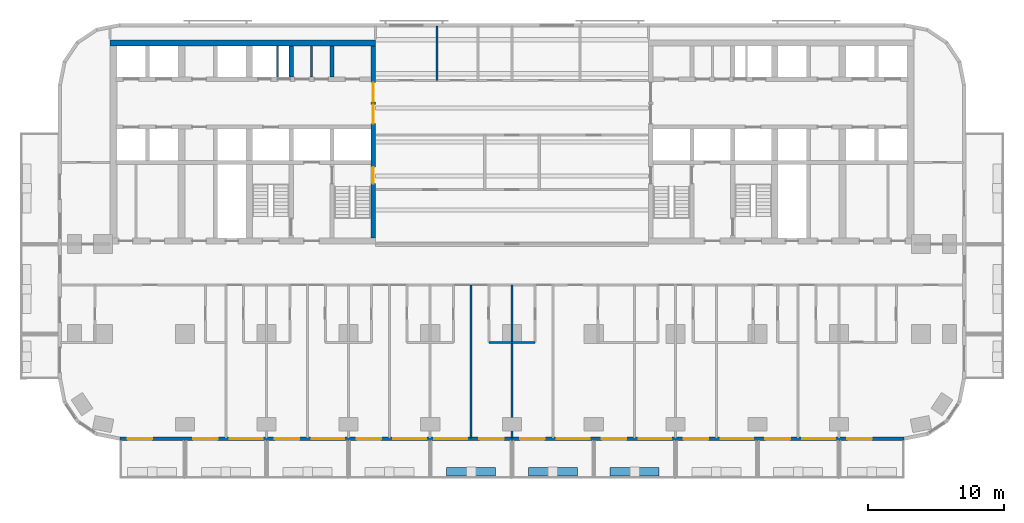
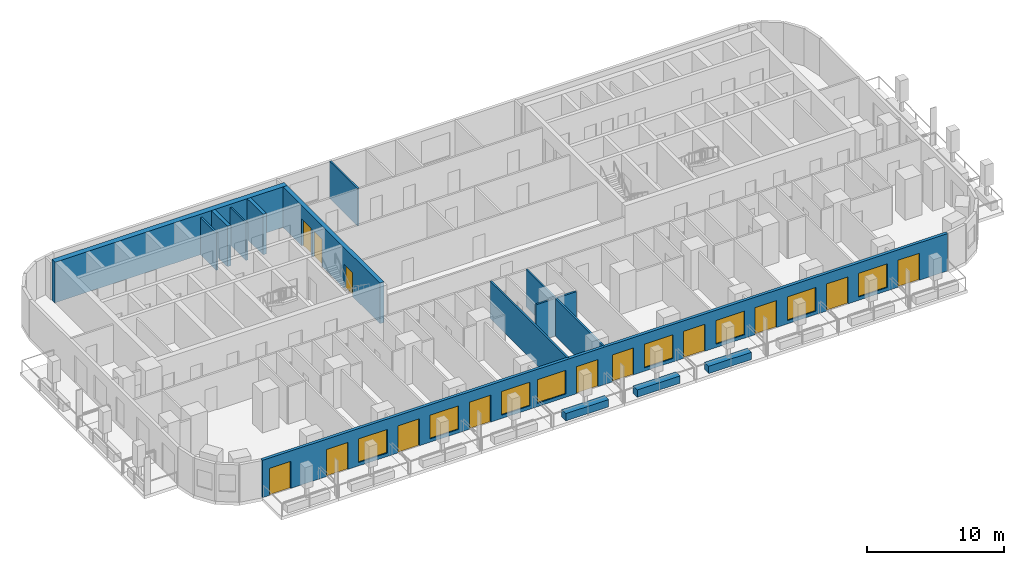
# One storey, part 4 of 14: 14 walls, 13 doors, 8 windows, 21 openings.
"""IFC4 building model written with IfcOpenShell, lengths in metres."""

from ifc_helpers import new_model, si_unit, direction, frame, frame_2d, origin, place, context, subcontext, project, spatial, rectangle, extrude, material, layer, layer_set, type_object, element, fill, save


model = new_model("IFC4")

# Units and contexts
model_context = context("Model", 3, precision=1e-05, world=origin(), true_north=direction((0.0, 1.0)))
body_context = subcontext(model_context, "Body", "Model", "MODEL_VIEW")
ifc_project = project(units=[si_unit("LENGTHUNIT", "METRE"), si_unit("AREAUNIT", "SQUARE_METRE"), si_unit("VOLUMEUNIT", "CUBIC_METRE"), si_unit("PLANEANGLEUNIT", "RADIAN"), si_unit("MASSUNIT", "GRAM", prefix="KILO")], contexts=[model_context])

# Site, building, storey
site_placement = place(None, origin())
site = spatial("IfcSite", under=ifc_project, at=site_placement, CompositionType="ELEMENT")
building_placement = place(site_placement, origin())
building = spatial("IfcBuilding", under=site, at=building_placement, Name="Torana Hotel and Residences", CompositionType="ELEMENT")
storey_placement = place(building_placement, frame((0.0, 0.0, 38.39990234375)))
storey = spatial("IfcBuildingStorey", under=building, at=storey_placement, Name="L08", CompositionType="ELEMENT", Elevation=38.39990234375)

# Walls
ifc_material_1 = material(Name="Concrete C80/95", Category="concrete")
ifc_layer_1 = layer(ifc_material_1, 0.300048828125)
ifc_layer_set_1 = layer_set([ifc_layer_1], Name="CORE WALL 300 C80/95")
wall_type_1 = type_object("IfcWallType", Name="CORE WALL 300 C80/95", PredefinedType="SHEAR", material=ifc_layer_set_1)
for number, where, z_axis, x_axis, name in (
    (1, (-13.199951171875, -2.75, 0.0), (0.0, 0.0, 1.0), (0.0, 1.0, 0.0), "Core wall W x3.05-N"),
    (2, (-16.199951171875, -2.75, 0.0), (0.0, 0.0, 1.0), (0.0, 1.0, 0.0), "Core wall W x6.05-N"),
):
    element("IfcWall", number, at=place(storey_placement, frame(where, z_axis=z_axis, x_axis=x_axis)), inside=storey, type_object=wall_type_1, Name=name, PredefinedType="SHEAR", context=body_context, shape_type="SweptSolid", body=[
        extrude(rectangle(XDim=2.300048828125, YDim=0.300048828125, at=frame_2d((1.14990234375, 0.0))), origin(), (0.0, 0.0, 1.0), 3.60009765625),
    ])

# Wall, openings, doors
ifc_material_2 = material(Name="Concrete C80/95", Category="concrete")
ifc_layer_2 = layer(ifc_material_2, 0.35009765625)
ifc_layer_set_2 = layer_set([ifc_layer_2], Name="CORE WALL 350 C80/95")
wall_type_2 = type_object("IfcWallType", Name="CORE WALL 350 C80/95", PredefinedType="SHEAR", material=ifc_layer_set_2)
wall_1_placement = place(storey_placement, frame((-10.175048828125, -14.550048828125, 0.0), z_axis=(0.0, 0.0, 1.0), x_axis=(0.0, 1.0, 0.0)))
wall_1 = element("IfcWall", 3, at=wall_1_placement, inside=storey, type_object=wall_type_2, Name="Core wall W arch", PredefinedType="SHEAR", context=body_context, shape_type="SweptSolid", body=[
    extrude(rectangle(XDim=14.10009765625, YDim=0.35009765625, at=frame_2d((7.050048828125, 0.0))), origin(), (0.0, 0.0, 1.0), 3.60009765625),
])
opening_1_placement = place(wall_1_placement, frame((8.39990234375, 0.0, 0.0)))
opening_1 = element("IfcOpeningElement", 4, at=opening_1_placement, cuts=wall_1, Name="Opening L08-01", PredefinedType="OPENING", context=body_context, shape_type="SweptSolid", body=[
    extrude(rectangle(XDim=1.39990234375, YDim=2.39990234375, at=frame_2d((0.699951171875, 1.199951171875))), frame((0.0, 0.18505859375, 0.0), z_axis=(0.0, -1.0, 0.0), x_axis=(1.0, 0.0, 0.0)), (0.0, 0.0, 1.0), 0.3701171875),
])
opening_2_placement = place(wall_1_placement, frame((10.0, 0.0, 0.0)))
opening_2 = element("IfcOpeningElement", 5, at=opening_2_placement, cuts=wall_1, Name="Opening L08-02", PredefinedType="OPENING", context=body_context, shape_type="SweptSolid", body=[
    extrude(rectangle(XDim=1.39990234375, YDim=2.39990234375, at=frame_2d((0.699951171875, 1.199951171875))), frame((0.0, 0.18505859375, 0.0), z_axis=(0.0, -1.0, 0.0), x_axis=(1.0, 0.0, 0.0)), (0.0, 0.0, 1.0), 0.3701171875),
])
opening_3_placement = place(wall_1_placement, frame((4.0, 0.0, 0.0)))
opening_3 = element("IfcOpeningElement", 6, at=opening_3_placement, cuts=wall_1, Name="Opening L08-03", PredefinedType="OPENING", context=body_context, shape_type="SweptSolid", body=[
    extrude(rectangle(XDim=1.199951171875, YDim=2.10009765625, at=frame_2d((0.60009765625, 1.050048828125))), frame((0.0, 0.18505859375, 0.0), z_axis=(0.0, -1.0, 0.0), x_axis=(1.0, 0.0, 0.0)), (0.0, 0.0, 1.0), 0.3701171875),
])
ifc_material_3 = material(Name="Steel S235", Category="steel")
door_type_1 = type_object("IfcDoorType", Name="LOBBY FIRE DOOR D4 1400x2400", OperationType="DOUBLE_DOOR_SINGLE_SWING", PredefinedType="DOOR", material=ifc_material_3)
door_1_placement = place(opening_1_placement, origin())
door_1 = element("IfcDoor", 7, at=door_1_placement, inside=storey, type_object=door_type_1, Name="Lobby-1 door L08", OperationType="DOUBLE_DOOR_SINGLE_SWING", OverallHeight=2.39990234375, OverallWidth=1.39990234375, PredefinedType="DOOR", context=body_context, shape_type="SweptSolid", body=[
    extrude(rectangle(XDim=1.39990234375, YDim=2.39990234375, at=frame_2d((0.699951171875, 1.199951171875))), frame((0.0, 0.02490234375, 0.0), z_axis=(0.0, -1.0, 0.0), x_axis=(1.0, 0.0, 0.0)), (0.0, 0.0, 1.0), 0.050048828125),
])
fill(opening_1, door_1)
door_2_placement = place(opening_2_placement, origin())
door_2 = element("IfcDoor", 8, at=door_2_placement, inside=storey, type_object=door_type_1, Name="Lobby-2 door L08", OperationType="DOUBLE_DOOR_SINGLE_SWING", OverallHeight=2.39990234375, OverallWidth=1.39990234375, PredefinedType="DOOR", context=body_context, shape_type="SweptSolid", body=[
    extrude(rectangle(XDim=1.39990234375, YDim=2.39990234375, at=frame_2d((0.699951171875, 1.199951171875))), frame((0.0, 0.02490234375, 0.0), z_axis=(0.0, -1.0, 0.0), x_axis=(1.0, 0.0, 0.0)), (0.0, 0.0, 1.0), 0.050048828125),
])
fill(opening_2, door_2)
ifc_material_4 = material(Name="Steel S235", Category="steel")
door_type_2 = type_object("IfcDoorType", Name="STAIR FIRE DOOR D3 1200x2100", OperationType="SINGLE_SWING_LEFT", PredefinedType="DOOR", material=ifc_material_4)
door_3_placement = place(opening_3_placement, origin())
door_3 = element("IfcDoor", 9, at=door_3_placement, inside=storey, type_object=door_type_2, Name="Stair-A door L08", OperationType="SINGLE_SWING_LEFT", OverallHeight=2.10009765625, OverallWidth=1.199951171875, PredefinedType="DOOR", context=body_context, shape_type="SweptSolid", body=[
    extrude(rectangle(XDim=1.199951171875, YDim=2.10009765625, at=frame_2d((0.60009765625, 1.050048828125))), frame((0.0, 0.02490234375, 0.0), z_axis=(0.0, -1.0, 0.0), x_axis=(1.0, 0.0, 0.0)), (0.0, 0.0, 1.0), 0.050048828125),
])
fill(opening_3, door_3)

# Wall
ifc_material_5 = material(Name="Concrete C80/95", Category="concrete")
ifc_layer_3 = layer(ifc_material_5, 0.449951171875)
ifc_layer_set_3 = layer_set([ifc_layer_3], Name="CORE WALL 450 C80/95")
wall_type_3 = type_object("IfcWallType", Name="CORE WALL 450 C80/95", PredefinedType="SHEAR", material=ifc_layer_set_3)
wall_2_placement = place(storey_placement, frame((-29.5, -0.22509765625, 0.0), z_axis=(0.0, 0.0, 1.0), x_axis=(1.0, 0.0, 0.0)))
element("IfcWall", 10, at=wall_2_placement, inside=storey, type_object=wall_type_3, Name="Core wall W rear", PredefinedType="SHEAR", context=body_context, shape_type="SweptSolid", body=[
    extrude(rectangle(XDim=19.5, YDim=0.449951171875, at=frame_2d((9.75, 0.0))), origin(), (0.0, 0.0, 1.0), 3.60009765625),
])

# Wall, openings, doors, windows
ifc_material_6 = material(Name="Black aluminium composite panel", Category="aluminium")
ifc_layer_4 = layer(ifc_material_6, 0.00390625, Name="Cladding", Category="cladding")
ifc_material_7 = material(Name="Ventilated air cavity")
ifc_layer_5 = layer(ifc_material_7, 0.0400390625, Name="Ventilated cavity", Category="cavity")
ifc_material_8 = material(Name="Mineral wool insulation")
ifc_layer_6 = layer(ifc_material_8, 0.090087890625, Name="Insulation", Category="insulation")
ifc_material_9 = material(Name="Steel S280GD", Category="steel")
ifc_layer_7 = layer(ifc_material_9, 0.092041015625, Name="Steel stud frame", Category="structure")
ifc_material_10 = material(Name="Fire rated plasterboard")
ifc_layer_8 = layer(ifc_material_10, 0.011962890625, Name="Inner board", Category="finish")
ifc_layer_9 = layer(ifc_material_10, 0.011962890625, Name="Second board", Category="finish")
ifc_layer_set_4 = layer_set([ifc_layer_4, ifc_layer_5, ifc_layer_6, ifc_layer_7, ifc_layer_8, ifc_layer_9], Name="EW1 EXTERNAL WALL BLACK METAL CLAD 250")
wall_type_4 = type_object("IfcWallType", Name="EW1 EXTERNAL WALL BLACK METAL CLAD 250", PredefinedType="SOLIDWALL", material=ifc_layer_set_4)
wall_3_placement = place(storey_placement, frame((-28.775390625, -29.27490234375, 0.0), z_axis=(0.0, 0.0, 1.0), x_axis=(1.0, 0.0, 0.0)))
wall_3 = element("IfcWall", 11, at=wall_3_placement, inside=storey, type_object=wall_type_4, Name="External wall L08 e0.14", PredefinedType="SOLIDWALL", context=body_context, shape_type="SweptSolid", body=[
    extrude(rectangle(XDim=57.55078125, YDim=0.25, at=frame_2d((28.775390625, 0.0))), origin(), (0.0, 0.0, 1.0), 3.320068359375),
])
opening_4_placement = place(wall_3_placement, frame((0.575439453125, 0.0, 0.0)))
opening_4 = element("IfcOpeningElement", 12, at=opening_4_placement, cuts=wall_3, Name="Opening L08-E01", PredefinedType="OPENING", context=body_context, shape_type="SweptSolid", body=[
    extrude(rectangle(XDim=1.800048828125, YDim=2.39990234375, at=frame_2d((0.89990234375, 1.199951171875))), frame((0.0, 0.135009765625, 0.0), z_axis=(0.0, -1.0, 0.0), x_axis=(1.0, 0.0, 0.0)), (0.0, 0.0, 1.0), 0.27001953125),
])
opening_5_placement = place(wall_3_placement, frame((5.37548828125, 0.0, 0.0)))
opening_5 = element("IfcOpeningElement", 13, at=opening_5_placement, cuts=wall_3, Name="Opening L08-E02", PredefinedType="OPENING", context=body_context, shape_type="SweptSolid", body=[
    extrude(rectangle(XDim=1.800048828125, YDim=2.39990234375, at=frame_2d((0.89990234375, 1.199951171875))), frame((0.0, 0.135009765625, 0.0), z_axis=(0.0, -1.0, 0.0), x_axis=(1.0, 0.0, 0.0)), (0.0, 0.0, 1.0), 0.27001953125),
])
opening_6_placement = place(wall_3_placement, frame((8.075439453125, 0.0, 0.300048828125)))
opening_6 = element("IfcOpeningElement", 14, at=opening_6_placement, cuts=wall_3, Name="Opening W1", PredefinedType="OPENING", context=body_context, shape_type="SweptSolid", body=[
    extrude(rectangle(XDim=2.39990234375, YDim=2.10009765625, at=frame_2d((1.199951171875, 1.050048828125))), frame((0.0, 0.135009765625, 0.0), z_axis=(0.0, -1.0, 0.0), x_axis=(1.0, 0.0, 0.0)), (0.0, 0.0, 1.0), 0.27001953125),
])
opening_7_placement = place(wall_3_placement, frame((11.37548828125, 0.0, 0.0)))
opening_7 = element("IfcOpeningElement", 15, at=opening_7_placement, cuts=wall_3, Name="Opening L08-E03", PredefinedType="OPENING", context=body_context, shape_type="SweptSolid", body=[
    extrude(rectangle(XDim=1.800048828125, YDim=2.39990234375, at=frame_2d((0.89990234375, 1.199951171875))), frame((0.0, 0.135009765625, 0.0), z_axis=(0.0, -1.0, 0.0), x_axis=(1.0, 0.0, 0.0)), (0.0, 0.0, 1.0), 0.27001953125),
])
opening_8_placement = place(wall_3_placement, frame((14.075439453125, 0.0, 0.300048828125)))
opening_8 = element("IfcOpeningElement", 16, at=opening_8_placement, cuts=wall_3, Name="Opening W1", PredefinedType="OPENING", context=body_context, shape_type="SweptSolid", body=[
    extrude(rectangle(XDim=2.39990234375, YDim=2.10009765625, at=frame_2d((1.199951171875, 1.050048828125))), frame((0.0, 0.135009765625, 0.0), z_axis=(0.0, -1.0, 0.0), x_axis=(1.0, 0.0, 0.0)), (0.0, 0.0, 1.0), 0.27001953125),
])
opening_9_placement = place(wall_3_placement, frame((17.37548828125, 0.0, 0.0)))
opening_9 = element("IfcOpeningElement", 17, at=opening_9_placement, cuts=wall_3, Name="Opening L08-E04", PredefinedType="OPENING", context=body_context, shape_type="SweptSolid", body=[
    extrude(rectangle(XDim=1.800048828125, YDim=2.39990234375, at=frame_2d((0.89990234375, 1.199951171875))), frame((0.0, 0.135009765625, 0.0), z_axis=(0.0, -1.0, 0.0), x_axis=(1.0, 0.0, 0.0)), (0.0, 0.0, 1.0), 0.27001953125),
])
opening_10_placement = place(wall_3_placement, frame((20.075439453125, 0.0, 0.300048828125)))
opening_10 = element("IfcOpeningElement", 18, at=opening_10_placement, cuts=wall_3, Name="Opening W1", PredefinedType="OPENING", context=body_context, shape_type="SweptSolid", body=[
    extrude(rectangle(XDim=2.39990234375, YDim=2.10009765625, at=frame_2d((1.199951171875, 1.050048828125))), frame((0.0, 0.135009765625, 0.0), z_axis=(0.0, -1.0, 0.0), x_axis=(1.0, 0.0, 0.0)), (0.0, 0.0, 1.0), 0.27001953125),
])
opening_11_placement = place(wall_3_placement, frame((23.075439453125, 0.0, 0.300048828125)))
opening_11 = element("IfcOpeningElement", 19, at=opening_11_placement, cuts=wall_3, Name="Opening W1", PredefinedType="OPENING", context=body_context, shape_type="SweptSolid", body=[
    extrude(rectangle(XDim=2.39990234375, YDim=2.10009765625, at=frame_2d((1.199951171875, 1.050048828125))), frame((0.0, 0.135009765625, 0.0), z_axis=(0.0, -1.0, 0.0), x_axis=(1.0, 0.0, 0.0)), (0.0, 0.0, 1.0), 0.27001953125),
])
opening_12_placement = place(wall_3_placement, frame((26.37548828125, 0.0, 0.0)))
opening_12 = element("IfcOpeningElement", 20, at=opening_12_placement, cuts=wall_3, Name="Opening L08-E05", PredefinedType="OPENING", context=body_context, shape_type="SweptSolid", body=[
    extrude(rectangle(XDim=1.800048828125, YDim=2.39990234375, at=frame_2d((0.89990234375, 1.199951171875))), frame((0.0, 0.135009765625, 0.0), z_axis=(0.0, -1.0, 0.0), x_axis=(1.0, 0.0, 0.0)), (0.0, 0.0, 1.0), 0.27001953125),
])
opening_13_placement = place(wall_3_placement, frame((29.37548828125, 0.0, 0.0)))
opening_13 = element("IfcOpeningElement", 21, at=opening_13_placement, cuts=wall_3, Name="Opening L08-E06", PredefinedType="OPENING", context=body_context, shape_type="SweptSolid", body=[
    extrude(rectangle(XDim=1.800048828125, YDim=2.39990234375, at=frame_2d((0.89990234375, 1.199951171875))), frame((0.0, 0.135009765625, 0.0), z_axis=(0.0, -1.0, 0.0), x_axis=(1.0, 0.0, 0.0)), (0.0, 0.0, 1.0), 0.27001953125),
])
opening_14_placement = place(wall_3_placement, frame((32.075439453125, 0.0, 0.300048828125)))
opening_14 = element("IfcOpeningElement", 22, at=opening_14_placement, cuts=wall_3, Name="Opening W1", PredefinedType="OPENING", context=body_context, shape_type="SweptSolid", body=[
    extrude(rectangle(XDim=2.39990234375, YDim=2.10009765625, at=frame_2d((1.199951171875, 1.050048828125))), frame((0.0, 0.135009765625, 0.0), z_axis=(0.0, -1.0, 0.0), x_axis=(1.0, 0.0, 0.0)), (0.0, 0.0, 1.0), 0.27001953125),
])
opening_15_placement = place(wall_3_placement, frame((35.37548828125, 0.0, 0.0)))
opening_15 = element("IfcOpeningElement", 23, at=opening_15_placement, cuts=wall_3, Name="Opening L08-E07", PredefinedType="OPENING", context=body_context, shape_type="SweptSolid", body=[
    extrude(rectangle(XDim=1.800048828125, YDim=2.39990234375, at=frame_2d((0.89990234375, 1.199951171875))), frame((0.0, 0.135009765625, 0.0), z_axis=(0.0, -1.0, 0.0), x_axis=(1.0, 0.0, 0.0)), (0.0, 0.0, 1.0), 0.27001953125),
])
opening_16_placement = place(wall_3_placement, frame((38.075439453125, 0.0, 0.300048828125)))
opening_16 = element("IfcOpeningElement", 24, at=opening_16_placement, cuts=wall_3, Name="Opening W1", PredefinedType="OPENING", context=body_context, shape_type="SweptSolid", body=[
    extrude(rectangle(XDim=2.39990234375, YDim=2.10009765625, at=frame_2d((1.199951171875, 1.050048828125))), frame((0.0, 0.135009765625, 0.0), z_axis=(0.0, -1.0, 0.0), x_axis=(1.0, 0.0, 0.0)), (0.0, 0.0, 1.0), 0.27001953125),
])
opening_17_placement = place(wall_3_placement, frame((41.37548828125, 0.0, 0.0)))
opening_17 = element("IfcOpeningElement", 25, at=opening_17_placement, cuts=wall_3, Name="Opening L08-E08", PredefinedType="OPENING", context=body_context, shape_type="SweptSolid", body=[
    extrude(rectangle(XDim=1.800048828125, YDim=2.39990234375, at=frame_2d((0.89990234375, 1.199951171875))), frame((0.0, 0.135009765625, 0.0), z_axis=(0.0, -1.0, 0.0), x_axis=(1.0, 0.0, 0.0)), (0.0, 0.0, 1.0), 0.27001953125),
])
opening_18_placement = place(wall_3_placement, frame((44.075439453125, 0.0, 0.300048828125)))
opening_18 = element("IfcOpeningElement", 26, at=opening_18_placement, cuts=wall_3, Name="Opening W1", PredefinedType="OPENING", context=body_context, shape_type="SweptSolid", body=[
    extrude(rectangle(XDim=2.39990234375, YDim=2.10009765625, at=frame_2d((1.199951171875, 1.050048828125))), frame((0.0, 0.135009765625, 0.0), z_axis=(0.0, -1.0, 0.0), x_axis=(1.0, 0.0, 0.0)), (0.0, 0.0, 1.0), 0.27001953125),
])
opening_19_placement = place(wall_3_placement, frame((47.37548828125, 0.0, 0.0)))
opening_19 = element("IfcOpeningElement", 27, at=opening_19_placement, cuts=wall_3, Name="Opening L08-E09", PredefinedType="OPENING", context=body_context, shape_type="SweptSolid", body=[
    extrude(rectangle(XDim=1.800048828125, YDim=2.39990234375, at=frame_2d((0.89990234375, 1.199951171875))), frame((0.0, 0.135009765625, 0.0), z_axis=(0.0, -1.0, 0.0), x_axis=(1.0, 0.0, 0.0)), (0.0, 0.0, 1.0), 0.27001953125),
])
opening_20_placement = place(wall_3_placement, frame((50.075439453125, 0.0, 0.300048828125)))
opening_20 = element("IfcOpeningElement", 28, at=opening_20_placement, cuts=wall_3, Name="Opening W1", PredefinedType="OPENING", context=body_context, shape_type="SweptSolid", body=[
    extrude(rectangle(XDim=2.39990234375, YDim=2.10009765625, at=frame_2d((1.199951171875, 1.050048828125))), frame((0.0, 0.135009765625, 0.0), z_axis=(0.0, -1.0, 0.0), x_axis=(1.0, 0.0, 0.0)), (0.0, 0.0, 1.0), 0.27001953125),
])
opening_21_placement = place(wall_3_placement, frame((53.37548828125, 0.0, 0.0)))
opening_21 = element("IfcOpeningElement", 29, at=opening_21_placement, cuts=wall_3, Name="Opening L08-E10", PredefinedType="OPENING", context=body_context, shape_type="SweptSolid", body=[
    extrude(rectangle(XDim=1.800048828125, YDim=2.39990234375, at=frame_2d((0.89990234375, 1.199951171875))), frame((0.0, 0.135009765625, 0.0), z_axis=(0.0, -1.0, 0.0), x_axis=(1.0, 0.0, 0.0)), (0.0, 0.0, 1.0), 0.27001953125),
])
ifc_material_11 = material(Name="Dark glass in black aluminium frame", Category="aluminium")
door_type_3 = type_object("IfcDoorType", Name="DB1 BALCONY DOOR 1800x2400", OperationType="DOUBLE_DOOR_SINGLE_SWING", PredefinedType="DOOR", material=ifc_material_11)
door_4_placement = place(opening_4_placement, origin())
door_4 = element("IfcDoor", 30, at=door_4_placement, inside=storey, type_object=door_type_3, Name="Balcony door L08", OperationType="DOUBLE_DOOR_SINGLE_SWING", OverallHeight=2.39990234375, OverallWidth=1.800048828125, PredefinedType="DOOR", context=body_context, shape_type="SweptSolid", body=[
    extrude(rectangle(XDim=1.800048828125, YDim=2.39990234375, at=frame_2d((0.89990234375, 1.199951171875))), frame((0.0, 0.02490234375, 0.0), z_axis=(0.0, -1.0, 0.0), x_axis=(1.0, 0.0, 0.0)), (0.0, 0.0, 1.0), 0.050048828125),
])
fill(opening_4, door_4)
door_5_placement = place(opening_5_placement, frame((0.89990234375, 0.0, 0.0), z_axis=(0.0, 0.0, 1.0), x_axis=(-1.0, 0.0, 0.0)))
door_5 = element("IfcDoor", 31, at=door_5_placement, inside=storey, type_object=door_type_3, Name="Balcony door L08", OperationType="DOUBLE_DOOR_SINGLE_SWING", OverallHeight=2.39990234375, OverallWidth=1.800048828125, PredefinedType="DOOR", context=body_context, shape_type="SweptSolid", body=[
    extrude(rectangle(XDim=1.800048828125, YDim=2.39990234375, at=frame_2d((0.0, 1.199951171875))), frame((0.0, -0.02490234375, 0.0), z_axis=(0.0, 1.0, 0.0), x_axis=(-1.0, 0.0, 0.0)), (0.0, 0.0, 1.0), 0.050048828125),
])
fill(opening_5, door_5)
door_6_placement = place(opening_7_placement, frame((0.89990234375, 0.0, 0.0), z_axis=(0.0, 0.0, 1.0), x_axis=(-1.0, 0.0, 0.0)))
door_6 = element("IfcDoor", 32, at=door_6_placement, inside=storey, type_object=door_type_3, Name="Balcony door L08", OperationType="DOUBLE_DOOR_SINGLE_SWING", OverallHeight=2.39990234375, OverallWidth=1.800048828125, PredefinedType="DOOR", context=body_context, shape_type="SweptSolid", body=[
    extrude(rectangle(XDim=1.800048828125, YDim=2.39990234375, at=frame_2d((0.0, 1.199951171875))), frame((0.0, -0.02490234375, 0.0), z_axis=(0.0, 1.0, 0.0), x_axis=(-1.0, 0.0, 0.0)), (0.0, 0.0, 1.0), 0.050048828125),
])
fill(opening_7, door_6)
door_7_placement = place(opening_9_placement, frame((0.89990234375, 0.0, 0.0), z_axis=(0.0, 0.0, 1.0), x_axis=(-1.0, 0.0, 0.0)))
door_7 = element("IfcDoor", 33, at=door_7_placement, inside=storey, type_object=door_type_3, Name="Balcony door L08", OperationType="DOUBLE_DOOR_SINGLE_SWING", OverallHeight=2.39990234375, OverallWidth=1.800048828125, PredefinedType="DOOR", context=body_context, shape_type="SweptSolid", body=[
    extrude(rectangle(XDim=1.800048828125, YDim=2.39990234375, at=frame_2d((0.0, 1.199951171875))), frame((0.0, -0.02490234375, 0.0), z_axis=(0.0, 1.0, 0.0), x_axis=(-1.0, 0.0, 0.0)), (0.0, 0.0, 1.0), 0.050048828125),
])
fill(opening_9, door_7)
door_8_placement = place(opening_12_placement, frame((0.89990234375, 0.0, 0.0), z_axis=(0.0, 0.0, 1.0), x_axis=(-1.0, 0.0, 0.0)))
door_8 = element("IfcDoor", 34, at=door_8_placement, inside=storey, type_object=door_type_3, Name="Balcony door L08", OperationType="DOUBLE_DOOR_SINGLE_SWING", OverallHeight=2.39990234375, OverallWidth=1.800048828125, PredefinedType="DOOR", context=body_context, shape_type="SweptSolid", body=[
    extrude(rectangle(XDim=1.800048828125, YDim=2.39990234375, at=frame_2d((0.0, 1.199951171875))), frame((0.0, -0.02490234375, 0.0), z_axis=(0.0, 1.0, 0.0), x_axis=(-1.0, 0.0, 0.0)), (0.0, 0.0, 1.0), 0.050048828125),
])
fill(opening_12, door_8)
door_9_placement = place(opening_13_placement, frame((0.89990234375, 0.0, 0.0), z_axis=(0.0, 0.0, 1.0), x_axis=(-1.0, 0.0, 0.0)))
door_9 = element("IfcDoor", 35, at=door_9_placement, inside=storey, type_object=door_type_3, Name="Balcony door L08", OperationType="DOUBLE_DOOR_SINGLE_SWING", OverallHeight=2.39990234375, OverallWidth=1.800048828125, PredefinedType="DOOR", context=body_context, shape_type="SweptSolid", body=[
    extrude(rectangle(XDim=1.800048828125, YDim=2.39990234375, at=frame_2d((0.0, 1.199951171875))), frame((0.0, -0.02490234375, 0.0), z_axis=(0.0, 1.0, 0.0), x_axis=(-1.0, 0.0, 0.0)), (0.0, 0.0, 1.0), 0.050048828125),
])
fill(opening_13, door_9)
door_10_placement = place(opening_15_placement, frame((0.89990234375, 0.0, 0.0), z_axis=(0.0, 0.0, 1.0), x_axis=(-1.0, 0.0, 0.0)))
door_10 = element("IfcDoor", 36, at=door_10_placement, inside=storey, type_object=door_type_3, Name="Balcony door L08", OperationType="DOUBLE_DOOR_SINGLE_SWING", OverallHeight=2.39990234375, OverallWidth=1.800048828125, PredefinedType="DOOR", context=body_context, shape_type="SweptSolid", body=[
    extrude(rectangle(XDim=1.800048828125, YDim=2.39990234375, at=frame_2d((0.0, 1.199951171875))), frame((0.0, -0.02490234375, 0.0), z_axis=(0.0, 1.0, 0.0), x_axis=(-1.0, 0.0, 0.0)), (0.0, 0.0, 1.0), 0.050048828125),
])
fill(opening_15, door_10)
door_11_placement = place(opening_17_placement, frame((0.89990234375, 0.0, 0.0), z_axis=(0.0, 0.0, 1.0), x_axis=(-1.0, 0.0, 0.0)))
door_11 = element("IfcDoor", 37, at=door_11_placement, inside=storey, type_object=door_type_3, Name="Balcony door L08", OperationType="DOUBLE_DOOR_SINGLE_SWING", OverallHeight=2.39990234375, OverallWidth=1.800048828125, PredefinedType="DOOR", context=body_context, shape_type="SweptSolid", body=[
    extrude(rectangle(XDim=1.800048828125, YDim=2.39990234375, at=frame_2d((0.0, 1.199951171875))), frame((0.0, -0.02490234375, 0.0), z_axis=(0.0, 1.0, 0.0), x_axis=(-1.0, 0.0, 0.0)), (0.0, 0.0, 1.0), 0.050048828125),
])
fill(opening_17, door_11)
door_12_placement = place(opening_19_placement, frame((0.89990234375, 0.0, 0.0), z_axis=(0.0, 0.0, 1.0), x_axis=(-1.0, 0.0, 0.0)))
door_12 = element("IfcDoor", 38, at=door_12_placement, inside=storey, type_object=door_type_3, Name="Balcony door L08", OperationType="DOUBLE_DOOR_SINGLE_SWING", OverallHeight=2.39990234375, OverallWidth=1.800048828125, PredefinedType="DOOR", context=body_context, shape_type="SweptSolid", body=[
    extrude(rectangle(XDim=1.800048828125, YDim=2.39990234375, at=frame_2d((0.0, 1.199951171875))), frame((0.0, -0.02490234375, 0.0), z_axis=(0.0, 1.0, 0.0), x_axis=(-1.0, 0.0, 0.0)), (0.0, 0.0, 1.0), 0.050048828125),
])
fill(opening_19, door_12)
door_13_placement = place(opening_21_placement, frame((0.89990234375, 0.0, 0.0), z_axis=(0.0, 0.0, 1.0), x_axis=(-1.0, 0.0, 0.0)))
door_13 = element("IfcDoor", 39, at=door_13_placement, inside=storey, type_object=door_type_3, Name="Balcony door L08", OperationType="DOUBLE_DOOR_SINGLE_SWING", OverallHeight=2.39990234375, OverallWidth=1.800048828125, PredefinedType="DOOR", context=body_context, shape_type="SweptSolid", body=[
    extrude(rectangle(XDim=1.800048828125, YDim=2.39990234375, at=frame_2d((0.0, 1.199951171875))), frame((0.0, -0.02490234375, 0.0), z_axis=(0.0, 1.0, 0.0), x_axis=(-1.0, 0.0, 0.0)), (0.0, 0.0, 1.0), 0.050048828125),
])
fill(opening_21, door_13)
ifc_material_12 = material(Name="Dark glass in black aluminium frame", Category="aluminium")
window_type = type_object("IfcWindowType", Name="W1 HOTEL ROOM WINDOW 2400x2100", PartitioningType="SINGLE_PANEL", PredefinedType="WINDOW", material=ifc_material_12)
window_1_placement = place(opening_6_placement, origin())
window_1 = element("IfcWindow", 40, at=window_1_placement, inside=storey, type_object=window_type, Name="Window L08", OverallHeight=2.10009765625, OverallWidth=2.39990234375, PartitioningType="SINGLE_PANEL", PredefinedType="WINDOW", context=body_context, shape_type="SweptSolid", body=[
    extrude(rectangle(XDim=2.39990234375, YDim=2.10009765625, at=frame_2d((1.199951171875, 1.050048828125))), frame((0.0, 0.030029296875, 0.0), z_axis=(0.0, -1.0, 0.0), x_axis=(1.0, 0.0, 0.0)), (0.0, 0.0, 1.0), 0.06005859375),
])
fill(opening_6, window_1)
window_2_placement = place(opening_8_placement, origin())
window_2 = element("IfcWindow", 41, at=window_2_placement, inside=storey, type_object=window_type, Name="Window L08", OverallHeight=2.10009765625, OverallWidth=2.39990234375, PartitioningType="SINGLE_PANEL", PredefinedType="WINDOW", context=body_context, shape_type="SweptSolid", body=[
    extrude(rectangle(XDim=2.39990234375, YDim=2.10009765625, at=frame_2d((1.199951171875, 1.050048828125))), frame((0.0, 0.030029296875, 0.0), z_axis=(0.0, -1.0, 0.0), x_axis=(1.0, 0.0, 0.0)), (0.0, 0.0, 1.0), 0.06005859375),
])
fill(opening_8, window_2)
window_3_placement = place(opening_10_placement, origin())
window_3 = element("IfcWindow", 42, at=window_3_placement, inside=storey, type_object=window_type, Name="Window L08", OverallHeight=2.10009765625, OverallWidth=2.39990234375, PartitioningType="SINGLE_PANEL", PredefinedType="WINDOW", context=body_context, shape_type="SweptSolid", body=[
    extrude(rectangle(XDim=2.39990234375, YDim=2.10009765625, at=frame_2d((1.199951171875, 1.050048828125))), frame((0.0, 0.030029296875, 0.0), z_axis=(0.0, -1.0, 0.0), x_axis=(1.0, 0.0, 0.0)), (0.0, 0.0, 1.0), 0.06005859375),
])
fill(opening_10, window_3)
window_4_placement = place(opening_11_placement, origin())
window_4 = element("IfcWindow", 43, at=window_4_placement, inside=storey, type_object=window_type, Name="Window L08", OverallHeight=2.10009765625, OverallWidth=2.39990234375, PartitioningType="SINGLE_PANEL", PredefinedType="WINDOW", context=body_context, shape_type="SweptSolid", body=[
    extrude(rectangle(XDim=2.39990234375, YDim=2.10009765625, at=frame_2d((1.199951171875, 1.050048828125))), frame((0.0, 0.030029296875, 0.0), z_axis=(0.0, -1.0, 0.0), x_axis=(1.0, 0.0, 0.0)), (0.0, 0.0, 1.0), 0.06005859375),
])
fill(opening_11, window_4)
window_5_placement = place(opening_14_placement, origin())
window_5 = element("IfcWindow", 44, at=window_5_placement, inside=storey, type_object=window_type, Name="Window L08", OverallHeight=2.10009765625, OverallWidth=2.39990234375, PartitioningType="SINGLE_PANEL", PredefinedType="WINDOW", context=body_context, shape_type="SweptSolid", body=[
    extrude(rectangle(XDim=2.39990234375, YDim=2.10009765625, at=frame_2d((1.199951171875, 1.050048828125))), frame((0.0, 0.030029296875, 0.0), z_axis=(0.0, -1.0, 0.0), x_axis=(1.0, 0.0, 0.0)), (0.0, 0.0, 1.0), 0.06005859375),
])
fill(opening_14, window_5)
window_6_placement = place(opening_16_placement, origin())
window_6 = element("IfcWindow", 45, at=window_6_placement, inside=storey, type_object=window_type, Name="Window L08", OverallHeight=2.10009765625, OverallWidth=2.39990234375, PartitioningType="SINGLE_PANEL", PredefinedType="WINDOW", context=body_context, shape_type="SweptSolid", body=[
    extrude(rectangle(XDim=2.39990234375, YDim=2.10009765625, at=frame_2d((1.199951171875, 1.050048828125))), frame((0.0, 0.030029296875, 0.0), z_axis=(0.0, -1.0, 0.0), x_axis=(1.0, 0.0, 0.0)), (0.0, 0.0, 1.0), 0.06005859375),
])
fill(opening_16, window_6)
window_7_placement = place(opening_18_placement, origin())
window_7 = element("IfcWindow", 46, at=window_7_placement, inside=storey, type_object=window_type, Name="Window L08", OverallHeight=2.10009765625, OverallWidth=2.39990234375, PartitioningType="SINGLE_PANEL", PredefinedType="WINDOW", context=body_context, shape_type="SweptSolid", body=[
    extrude(rectangle(XDim=2.39990234375, YDim=2.10009765625, at=frame_2d((1.199951171875, 1.050048828125))), frame((0.0, 0.030029296875, 0.0), z_axis=(0.0, -1.0, 0.0), x_axis=(1.0, 0.0, 0.0)), (0.0, 0.0, 1.0), 0.06005859375),
])
fill(opening_18, window_7)
window_8_placement = place(opening_20_placement, origin())
window_8 = element("IfcWindow", 47, at=window_8_placement, inside=storey, type_object=window_type, Name="Window L08", OverallHeight=2.10009765625, OverallWidth=2.39990234375, PartitioningType="SINGLE_PANEL", PredefinedType="WINDOW", context=body_context, shape_type="SweptSolid", body=[
    extrude(rectangle(XDim=2.39990234375, YDim=2.10009765625, at=frame_2d((1.199951171875, 1.050048828125))), frame((0.0, 0.030029296875, 0.0), z_axis=(0.0, -1.0, 0.0), x_axis=(1.0, 0.0, 0.0)), (0.0, 0.0, 1.0), 0.06005859375),
])
fill(opening_20, window_8)

# Walls
ifc_material_13 = material(Name="Gypsum plaster")
ifc_layer_10 = layer(ifc_material_13, 0.014892578125, Name="Plaster", Category="finish")
ifc_material_14 = material(Name="Concrete blockwork", Category="masonry")
ifc_layer_11 = layer(ifc_material_14, 0.1201171875, Name="Blockwork", Category="structure")
ifc_layer_12 = layer(ifc_material_13, 0.014892578125, Name="Plaster", Category="finish")
ifc_layer_set_5 = layer_set([ifc_layer_10, ifc_layer_11, ifc_layer_12], Name="FIRE PARTITION 150 BLOCKWORK")
wall_type_5 = type_object("IfcWallType", Name="FIRE PARTITION 150 BLOCKWORK", PredefinedType="PARTITIONING", material=ifc_layer_set_5)
for number, where, z_axis, x_axis, name in (
    (48, (-17.199951171875, -2.75, 0.0), (0.0, 0.0, 1.0), (0.0, 1.0, 0.0), "Core partition L08"),
    (49, (-14.699951171875, -2.75, 0.0), (0.0, 0.0, 1.0), (0.0, 1.0, 0.0), "Core partition L08"),
):
    element("IfcWall", number, at=place(storey_placement, frame(where, z_axis=z_axis, x_axis=x_axis)), inside=storey, type_object=wall_type_5, Name=name, PredefinedType="PARTITIONING", context=body_context, shape_type="SweptSolid", body=[
        extrude(rectangle(XDim=2.300048828125, YDim=0.14990234375, at=frame_2d((1.14990234375, 0.0))), origin(), (0.0, 0.0, 1.0), 3.300048828125),
    ])
ifc_material_15 = material(Name="Gypsum plasterboard")
ifc_layer_13 = layer(ifc_material_15, 0.012451171875, Name="Plasterboard", Category="finish")
ifc_layer_14 = layer(ifc_material_15, 0.012451171875, Name="Plasterboard", Category="finish")
ifc_layer_15 = layer(ifc_material_9, 0.10009765625, Name="Steel studs with mineral wool", Category="insulation")
ifc_layer_16 = layer(ifc_material_15, 0.012451171875, Name="Plasterboard", Category="finish")
ifc_layer_17 = layer(ifc_material_15, 0.012451171875, Name="Plasterboard", Category="finish")
ifc_layer_set_6 = layer_set([ifc_layer_13, ifc_layer_14, ifc_layer_15, ifc_layer_16, ifc_layer_17], Name="PARTITION 150 PLASTERBOARD")
wall_type_6 = type_object("IfcWallType", Name="PARTITION 150 PLASTERBOARD", PredefinedType="PARTITIONING", material=ifc_layer_set_6)
for number, where, z_axis, x_axis, name in (
    (50, (0.0, -29.219970703125, 0.0), (0.0, 0.0, 1.0), (0.0, 1.0, 0.0), "Partition L08"),
    (51, (-3.0, -29.219970703125, 0.0), (0.0, 0.0, 1.0), (0.0, 1.0, 0.0), "Partition L08"),
):
    element("IfcWall", number, at=place(storey_placement, frame(where, z_axis=z_axis, x_axis=x_axis)), inside=storey, type_object=wall_type_6, Name=name, PredefinedType="PARTITIONING", context=body_context, shape_type="SweptSolid", body=[
        extrude(rectangle(XDim=11.219970703125, YDim=0.14990234375, at=frame_2d((5.60986328125, 0.0))), origin(), (0.0, 0.0, 1.0), 3.320068359375),
    ])
wall_4_placement = place(storey_placement, frame((-1.699951171875, -22.199951171875, 0.0), z_axis=(0.0, 0.0, 1.0), x_axis=(1.0, 0.0, 0.0)))
element("IfcWall", 52, at=wall_4_placement, inside=storey, type_object=wall_type_6, Name="Partition L08", PredefinedType="PARTITIONING", context=body_context, shape_type="SweptSolid", body=[
    extrude(rectangle(XDim=3.39990234375, YDim=0.14990234375, at=frame_2d((1.699951171875, 0.0))), origin(), (0.0, 0.0, 1.0), 3.320068359375),
])
ifc_material_16 = material(Name="Concrete C40/50 precast", Category="concrete")
ifc_layer_18 = layer(ifc_material_16, 0.10009765625, Name="Planter shell", Category="structure")
ifc_material_17 = material(Name="Root resistant membrane")
ifc_layer_19 = layer(ifc_material_17, 0.00390625, Name="Waterproofing membrane", Category="membrane")
ifc_material_18 = material(Name="Drainage board with filter fleece")
ifc_layer_20 = layer(ifc_material_18, 0.02001953125, Name="Drainage board", Category="drainage")
ifc_material_19 = material(Name="Growing medium")
ifc_layer_21 = layer(ifc_material_19, 0.47607421875, Name="Planting substrate", Category="soil")
ifc_layer_set_7 = layer_set([ifc_layer_18, ifc_layer_19, ifc_layer_20, ifc_layer_21], Name="PL1 BALCONY PLANTER 600")
wall_type_7 = type_object("IfcWallType", Name="PL1 BALCONY PLANTER 600", PredefinedType="USERDEFINED", material=ifc_layer_set_7)
for number, where, z_axis, x_axis, name in (
    (53, (-1.199951171875, -31.699951171875, 0.0), (0.0, 0.0, 1.0), (-1.0, 0.0, 0.0), "Planter 05"),
    (54, (4.800048828125, -31.699951171875, 0.0), (0.0, 0.0, 1.0), (-1.0, 0.0, 0.0), "Planter 06"),
    (55, (10.800048828125, -31.699951171875, 0.0), (0.0, 0.0, 1.0), (-1.0, 0.0, 0.0), "Planter 07"),
):
    element("IfcWall", number, at=place(storey_placement, frame(where, z_axis=z_axis, x_axis=x_axis)), inside=storey, type_object=wall_type_7, Name=name, ObjectType="PLANTER", PredefinedType="USERDEFINED", context=body_context, shape_type="SweptSolid", body=[
        extrude(rectangle(XDim=3.60009765625, YDim=0.60009765625, at=frame_2d((1.800048828125, 0.0))), origin(), (0.0, 0.0, 1.0), 0.650146484375),
    ])
ifc_material_20 = material(Name="Ceramic tile on adhesive")
ifc_layer_22 = layer(ifc_material_20, 0.010009765625, Name="Wall tile", Category="finish")
ifc_material_21 = material(Name="Cement render")
ifc_layer_23 = layer(ifc_material_21, 0.010009765625, Name="Render", Category="finish")
ifc_layer_24 = layer(ifc_material_14, 0.110107421875, Name="Blockwork", Category="structure")
ifc_layer_25 = layer(ifc_material_21, 0.010009765625, Name="Render", Category="finish")
ifc_layer_26 = layer(ifc_material_20, 0.010009765625, Name="Wall tile", Category="finish")
ifc_layer_set_8 = layer_set([ifc_layer_22, ifc_layer_23, ifc_layer_24, ifc_layer_25, ifc_layer_26], Name="WC PARTITION 150")
wall_type_8 = type_object("IfcWallType", Name="WC PARTITION 150", PredefinedType="PLUMBINGWALL", material=ifc_layer_set_8)
wall_5_placement = place(storey_placement, frame((-5.5, -3.0, 0.0), z_axis=(0.0, 0.0, 1.0), x_axis=(0.0, 1.0, 0.0)))
element("IfcWall", 56, at=wall_5_placement, inside=storey, type_object=wall_type_8, Name="Partition L08", PredefinedType="PLUMBINGWALL", context=body_context, shape_type="SweptSolid", body=[
    extrude(rectangle(XDim=4.02001953125, YDim=0.14990234375, at=frame_2d((2.010009765625, 0.0))), origin(), (0.0, 0.0, 1.0), 3.320068359375),
])

save(model, "model.ifc")
